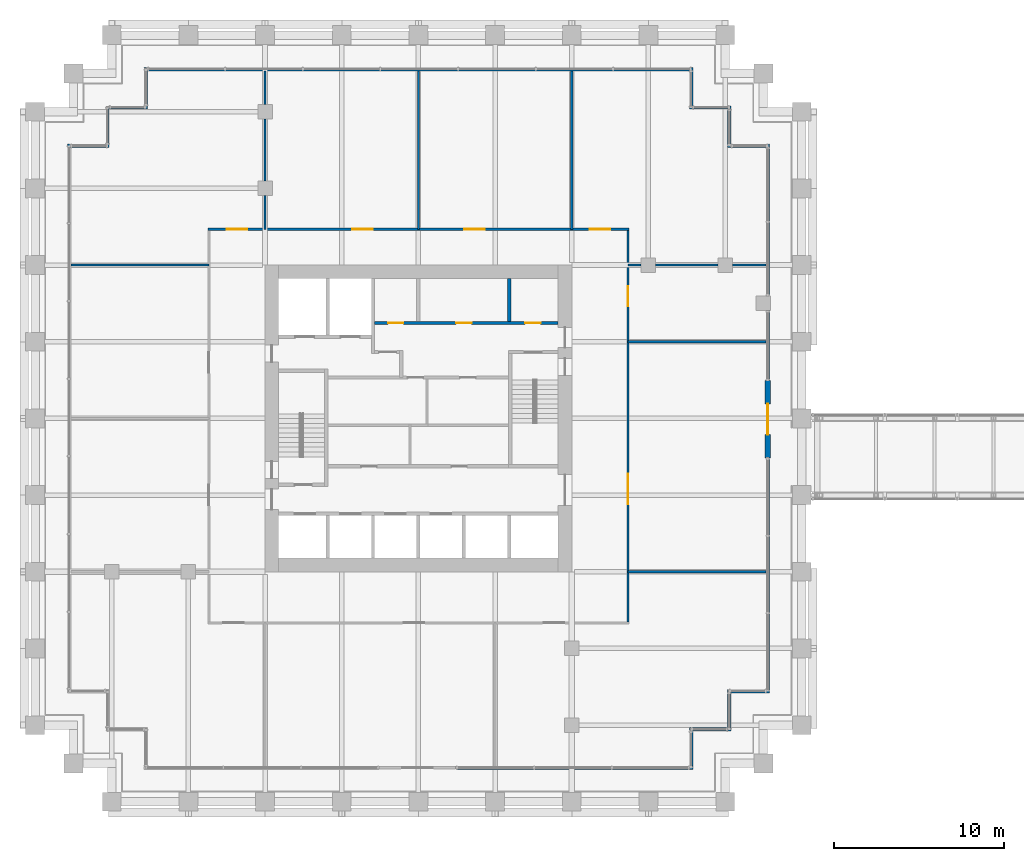
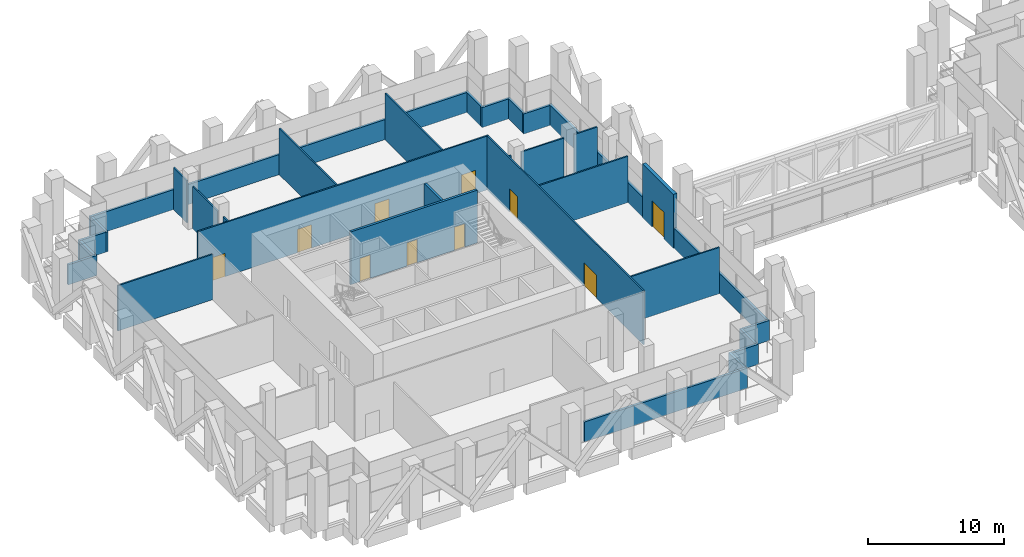
# One storey, part 38 of 44: 33 walls, 10 doors, 10 openings.
"""IFC4 building model written with IfcOpenShell, lengths in metres."""

from ifc_helpers import new_model, si_unit, direction, frame, frame_2d, origin, place, context, subcontext, project, spatial, rectangle, extrude, material, layer, layer_set, type_object, element, fill, save


model = new_model("IFC4")

# Units and contexts
model_context = context("Model", 3, precision=1e-05, world=origin(), true_north=direction((0.0, 1.0)))
body_context = subcontext(model_context, "Body", "Model", "MODEL_VIEW")
ifc_project = project(units=[si_unit("LENGTHUNIT", "METRE"), si_unit("AREAUNIT", "SQUARE_METRE"), si_unit("VOLUMEUNIT", "CUBIC_METRE"), si_unit("PLANEANGLEUNIT", "RADIAN"), si_unit("MASSUNIT", "GRAM", prefix="KILO")], contexts=[model_context])

# Site, building, storey
site_placement = place(None, origin())
site = spatial("IfcSite", under=ifc_project, at=site_placement, CompositionType="ELEMENT")
building_placement = place(site_placement, origin())
building = spatial("IfcBuilding", under=site, at=building_placement, Name="Altepetl Exchange Towers", CompositionType="ELEMENT")
storey_placement = place(building_placement, frame((0.0, 0.0, 87.0)))
storey = spatial("IfcBuildingStorey", under=building, at=storey_placement, Name="L21 Refuge", CompositionType="ELEMENT", Elevation=87.0)

# Walls
ifc_material_1 = material(Name="Gypsum board on steel studs", Category="steel")
ifc_layer_1 = layer(ifc_material_1, 0.125)
ifc_layer_set_1 = layer_set([ifc_layer_1], Name="Gypsum board on steel studs")
wall_type_1 = type_object("IfcWallType", Name="Partition 125 gypsum board on steel studs", PredefinedType="PARTITIONING", material=ifc_layer_set_1)
for number, where, name in (
    (1, (61.800048828125, 40.5, 0.0), "wall:A:L21:P05"),
    (2, (61.800048828125, 54.0, 0.0), "wall:A:L21:P07"),
):
    element("IfcWall", number, at=place(storey_placement, frame(where)), inside=storey, type_object=wall_type_1, Name=name, PredefinedType="PARTITIONING", context=body_context, shape_type="SweptSolid", body=[
        extrude(rectangle(XDim=8.099853515625, YDim=0.125, at=frame_2d((4.0498046875, 0.0))), origin(), (0.0, 0.0, 1.0), 4.166015625),
    ])
wall_1_placement = place(storey_placement, frame((29.10009765625, 58.5, 0.0)))
element("IfcWall", 3, at=wall_1_placement, inside=storey, type_object=wall_type_1, Name="wall:A:L21:P08", PredefinedType="PARTITIONING", context=body_context, shape_type="SweptSolid", body=[
    extrude(rectangle(XDim=8.099853515625, YDim=0.125, at=frame_2d((4.0498046875, 0.0))), origin(), (0.0, 0.0, 1.0), 4.075927734375),
])
wall_2_placement = place(storey_placement, frame((61.800048828125, 58.5, 0.0)))
element("IfcWall", 4, at=wall_2_placement, inside=storey, type_object=wall_type_1, Name="wall:A:L21:P09", PredefinedType="PARTITIONING", context=body_context, shape_type="SweptSolid", body=[
    extrude(rectangle(XDim=0.77490234375, YDim=0.125, at=frame_2d((0.387451171875, 0.0))), origin(), (0.0, 0.0, 1.0), 4.075927734375),
])
wall_3_placement = place(storey_placement, frame((63.425048828125, 58.5, 0.0)))
element("IfcWall", 5, at=wall_3_placement, inside=storey, type_object=wall_type_1, Name="wall:A:L21:P10", PredefinedType="PARTITIONING", context=body_context, shape_type="SweptSolid", body=[
    extrude(rectangle(XDim=3.64990234375, YDim=0.125, at=frame_2d((1.824951171875, 0.0))), origin(), (0.0, 0.0, 1.0), 4.075927734375),
])
wall_4_placement = place(storey_placement, frame((67.925048828125, 58.5, 0.0)))
element("IfcWall", 6, at=wall_4_placement, inside=storey, type_object=wall_type_1, Name="wall:A:L21:P11", PredefinedType="PARTITIONING", context=body_context, shape_type="SweptSolid", body=[
    extrude(rectangle(XDim=1.974853515625, YDim=0.125, at=frame_2d((0.9873046875, 0.0))), origin(), (0.0, 0.0, 1.0), 4.075927734375),
])

# Wall, openings, doors
wall_5_placement = place(storey_placement, frame((37.137451171875, 60.60009765625, 0.0)))
wall_5 = element("IfcWall", 7, at=wall_5_placement, inside=storey, type_object=wall_type_1, Name="wall:A:L21:P12", PredefinedType="PARTITIONING", context=body_context, shape_type="SweptSolid", body=[
    extrude(rectangle(XDim=24.72509765625, YDim=0.125, at=frame_2d((12.362548828125, 0.0))), origin(), (0.0, 0.0, 1.0), 4.85009765625),
])
opening_1_placement = place(wall_5_placement, frame((22.41259765625, 0.0, 0.0)))
opening_1 = element("IfcOpeningElement", 8, at=opening_1_placement, cuts=wall_5, Name="Opening L21.A07", PredefinedType="OPENING", context=body_context, shape_type="SweptSolid", body=[
    extrude(rectangle(XDim=1.199951171875, YDim=2.10009765625, at=frame_2d((0.60009765625, 1.050048828125))), frame((0.0, 0.072509765625, 0.0), z_axis=(0.0, -1.0, 0.0), x_axis=(1.0, 0.0, 0.0)), (0.0, 0.0, 1.0), 0.14501953125),
])
opening_2_placement = place(wall_5_placement, frame((15.054443359375, 0.0, 0.0)))
opening_2 = element("IfcOpeningElement", 9, at=opening_2_placement, cuts=wall_5, Name="Opening L21.A08", PredefinedType="OPENING", context=body_context, shape_type="SweptSolid", body=[
    extrude(rectangle(XDim=1.199951171875, YDim=2.10009765625, at=frame_2d((0.60009765625, 1.050048828125))), frame((0.0, 0.072509765625, 0.0), z_axis=(0.0, -1.0, 0.0), x_axis=(1.0, 0.0, 0.0)), (0.0, 0.0, 1.0), 0.14501953125),
])
opening_3_placement = place(wall_5_placement, frame((8.470458984375, 0.0, 0.0)))
opening_3 = element("IfcOpeningElement", 10, at=opening_3_placement, cuts=wall_5, Name="Opening L21.A09", PredefinedType="OPENING", context=body_context, shape_type="SweptSolid", body=[
    extrude(rectangle(XDim=1.199951171875, YDim=2.10009765625, at=frame_2d((0.60009765625, 1.050048828125))), frame((0.0, 0.072509765625, 0.0), z_axis=(0.0, -1.0, 0.0), x_axis=(1.0, 0.0, 0.0)), (0.0, 0.0, 1.0), 0.14501953125),
])
opening_4_placement = place(wall_5_placement, frame((1.112548828125, 0.0, 0.0)))
opening_4 = element("IfcOpeningElement", 11, at=opening_4_placement, cuts=wall_5, Name="Opening L21.A10", PredefinedType="OPENING", context=body_context, shape_type="SweptSolid", body=[
    extrude(rectangle(XDim=1.199951171875, YDim=2.10009765625, at=frame_2d((0.60009765625, 1.050048828125))), frame((0.0, 0.072509765625, 0.0), z_axis=(0.0, -1.0, 0.0), x_axis=(1.0, 0.0, 0.0)), (0.0, 0.0, 1.0), 0.14501953125),
])
ifc_material_2 = material(Name="Steel and timber fire door", Category="steel")
door_type_1 = type_object("IfcDoorType", Name="Fire door 1200 x 2100 plant and refuge", OperationType="SINGLE_SWING_LEFT", PredefinedType="DOOR", material=ifc_material_2)
door_1_placement = place(opening_1_placement, origin())
door_1 = element("IfcDoor", 12, at=door_1_placement, inside=storey, type_object=door_type_1, Name="door:A:L21:07", OperationType="SINGLE_SWING_RIGHT", OverallHeight=2.10009765625, OverallWidth=1.199951171875, PredefinedType="DOOR", context=body_context, shape_type="SweptSolid", body=[
    extrude(rectangle(XDim=1.199951171875, YDim=2.10009765625, at=frame_2d((0.60009765625, 1.050048828125))), frame((0.0, 0.02490234375, 0.0), z_axis=(0.0, -1.0, 0.0), x_axis=(1.0, 0.0, 0.0)), (0.0, 0.0, 1.0), 0.050048828125),
])
fill(opening_1, door_1)
door_2_placement = place(opening_2_placement, origin())
door_2 = element("IfcDoor", 13, at=door_2_placement, inside=storey, type_object=door_type_1, Name="door:A:L21:08", OperationType="SINGLE_SWING_LEFT", OverallHeight=2.10009765625, OverallWidth=1.199951171875, PredefinedType="DOOR", context=body_context, shape_type="SweptSolid", body=[
    extrude(rectangle(XDim=1.199951171875, YDim=2.10009765625, at=frame_2d((0.60009765625, 1.050048828125))), frame((0.0, 0.02490234375, 0.0), z_axis=(0.0, -1.0, 0.0), x_axis=(1.0, 0.0, 0.0)), (0.0, 0.0, 1.0), 0.050048828125),
])
fill(opening_2, door_2)
door_3_placement = place(opening_3_placement, origin())
door_3 = element("IfcDoor", 14, at=door_3_placement, inside=storey, type_object=door_type_1, Name="door:A:L21:09", OperationType="SINGLE_SWING_RIGHT", OverallHeight=2.10009765625, OverallWidth=1.199951171875, PredefinedType="DOOR", context=body_context, shape_type="SweptSolid", body=[
    extrude(rectangle(XDim=1.199951171875, YDim=2.10009765625, at=frame_2d((0.60009765625, 1.050048828125))), frame((0.0, 0.02490234375, 0.0), z_axis=(0.0, -1.0, 0.0), x_axis=(1.0, 0.0, 0.0)), (0.0, 0.0, 1.0), 0.050048828125),
])
fill(opening_3, door_3)
door_4_placement = place(opening_4_placement, origin())
door_4 = element("IfcDoor", 15, at=door_4_placement, inside=storey, type_object=door_type_1, Name="door:A:L21:10", OperationType="SINGLE_SWING_LEFT", OverallHeight=2.10009765625, OverallWidth=1.199951171875, PredefinedType="DOOR", context=body_context, shape_type="SweptSolid", body=[
    extrude(rectangle(XDim=1.199951171875, YDim=2.10009765625, at=frame_2d((0.60009765625, 1.050048828125))), frame((0.0, 0.02490234375, 0.0), z_axis=(0.0, -1.0, 0.0), x_axis=(1.0, 0.0, 0.0)), (0.0, 0.0, 1.0), 0.050048828125),
])
fill(opening_4, door_4)

# Walls
wall_6_placement = place(storey_placement, frame((40.5, 60.60009765625, 0.0), z_axis=(0.0, 0.0, 1.0), x_axis=(0.0, 1.0, 0.0)))
element("IfcWall", 16, at=wall_6_placement, inside=storey, type_object=wall_type_1, Name="wall:A:L21:P15", PredefinedType="PARTITIONING", context=body_context, shape_type="SweptSolid", body=[
    extrude(rectangle(XDim=1.974853515625, YDim=0.125, at=frame_2d((0.9873046875, 0.0))), origin(), (0.0, 0.0, 1.0), 3.800048828125),
])
wall_7_placement = place(storey_placement, frame((40.5, 63.425048828125, 0.0), z_axis=(0.0, 0.0, 1.0), x_axis=(0.0, 1.0, 0.0)))
element("IfcWall", 17, at=wall_7_placement, inside=storey, type_object=wall_type_1, Name="wall:A:L21:P16", PredefinedType="PARTITIONING", context=body_context, shape_type="SweptSolid", body=[
    extrude(rectangle(XDim=3.64990234375, YDim=0.125, at=frame_2d((1.824951171875, 0.0))), origin(), (0.0, 0.0, 1.0), 3.800048828125),
])
wall_8_placement = place(storey_placement, frame((40.5, 67.925048828125, 0.0), z_axis=(0.0, 0.0, 1.0), x_axis=(0.0, 1.0, 0.0)))
element("IfcWall", 18, at=wall_8_placement, inside=storey, type_object=wall_type_1, Name="wall:A:L21:P17", PredefinedType="PARTITIONING", context=body_context, shape_type="SweptSolid", body=[
    extrude(rectangle(XDim=1.974853515625, YDim=0.125, at=frame_2d((0.9873046875, 0.0))), origin(), (0.0, 0.0, 1.0), 3.800048828125),
])
for number, where, z_axis, x_axis, name in (
    (19, (49.5, 60.60009765625, 0.0), (0.0, 0.0, 1.0), (0.0, 1.0, 0.0), "wall:A:L21:P18"),
    (20, (58.5, 60.60009765625, 0.0), (0.0, 0.0, 1.0), (0.0, 1.0, 0.0), "wall:A:L21:P20"),
):
    element("IfcWall", number, at=place(storey_placement, frame(where, z_axis=z_axis, x_axis=x_axis)), inside=storey, type_object=wall_type_1, Name=name, PredefinedType="PARTITIONING", context=body_context, shape_type="SweptSolid", body=[
        extrude(rectangle(XDim=9.2998046875, YDim=0.125, at=frame_2d((4.64990234375, 0.0))), origin(), (0.0, 0.0, 1.0), 4.166015625),
    ])

# Wall, openings, doors
wall_9_placement = place(storey_placement, frame((61.800048828125, 37.5625, 0.0), z_axis=(0.0, 0.0, 1.0), x_axis=(0.0, 1.0, 0.0)))
wall_9 = element("IfcWall", 21, at=wall_9_placement, inside=storey, type_object=wall_type_1, Name="wall:A:L21:P21", PredefinedType="PARTITIONING", context=body_context, shape_type="SweptSolid", body=[
    extrude(rectangle(XDim=22.97509765625, YDim=0.125, at=frame_2d((11.487548828125, 0.0))), origin(), (0.0, 0.0, 1.0), 4.85009765625),
])
opening_5_placement = place(wall_9_placement, frame((6.8974609375, 0.0, 0.0)))
opening_5 = element("IfcOpeningElement", 22, at=opening_5_placement, cuts=wall_9, Name="Opening L21.A05", PredefinedType="OPENING", context=body_context, shape_type="SweptSolid", body=[
    extrude(rectangle(XDim=1.800048828125, YDim=2.10009765625, at=frame_2d((0.89990234375, 1.050048828125))), frame((0.0, 0.072509765625, 0.0), z_axis=(0.0, -1.0, 0.0), x_axis=(1.0, 0.0, 0.0)), (0.0, 0.0, 1.0), 0.14501953125),
])
opening_6_placement = place(wall_9_placement, frame((18.507568359375, 0.0, 0.0)))
opening_6 = element("IfcOpeningElement", 23, at=opening_6_placement, cuts=wall_9, Name="Opening L21.A06", PredefinedType="OPENING", context=body_context, shape_type="SweptSolid", body=[
    extrude(rectangle(XDim=1.199951171875, YDim=2.10009765625, at=frame_2d((0.60009765625, 1.050048828125))), frame((0.0, 0.072509765625, 0.0), z_axis=(0.0, -1.0, 0.0), x_axis=(1.0, 0.0, 0.0)), (0.0, 0.0, 1.0), 0.14501953125),
])
door_5_placement = place(opening_6_placement, frame((1.199951171875, 0.0, 0.0), x_axis=(-1.0, 0.0, 0.0)))
door_5 = element("IfcDoor", 24, at=door_5_placement, inside=storey, type_object=door_type_1, Name="door:A:L21:06", OperationType="SINGLE_SWING_LEFT", OverallHeight=2.10009765625, OverallWidth=1.199951171875, PredefinedType="DOOR", context=body_context, shape_type="SweptSolid", body=[
    extrude(rectangle(XDim=1.199951171875, YDim=2.10009765625, at=frame_2d((0.60009765625, 1.050048828125))), frame((0.0, 0.02490234375, 0.0), z_axis=(0.0, -1.0, 0.0), x_axis=(1.0, 0.0, 0.0)), (0.0, 0.0, 1.0), 0.050048828125),
])
fill(opening_6, door_5)
door_type_2 = type_object("IfcDoorType", Name="Fire door 1800 x 2100 double leaf", OperationType="DOUBLE_DOOR_SINGLE_SWING", PredefinedType="DOOR", material=ifc_material_2)
door_6_placement = place(opening_5_placement, frame((1.800048828125, 0.0, 0.0), x_axis=(-1.0, 0.0, 0.0)))
door_6 = element("IfcDoor", 25, at=door_6_placement, inside=storey, type_object=door_type_2, Name="door:A:L21:05", OperationType="DOUBLE_DOOR_SINGLE_SWING", OverallHeight=2.10009765625, OverallWidth=1.800048828125, PredefinedType="DOOR", context=body_context, shape_type="SweptSolid", body=[
    extrude(rectangle(XDim=1.800048828125, YDim=2.10009765625, at=frame_2d((0.89990234375, 1.050048828125))), frame((0.0, 0.02490234375, 0.0), z_axis=(0.0, -1.0, 0.0), x_axis=(1.0, 0.0, 0.0)), (0.0, 0.0, 1.0), 0.050048828125),
])
fill(opening_5, door_6)

# Walls
ifc_material_3 = material(Name="Cantera limestone cladding", Category="masonry")
ifc_layer_2 = layer(ifc_material_3, 0.199951171875)
ifc_layer_set_2 = layer_set([ifc_layer_2], Name="Cantera limestone cladding")
wall_type_2 = type_object("IfcWallType", Name="Refuge stone wall 200", PredefinedType="ELEMENTEDWALL", material=ifc_layer_set_2)
wall_10_placement = place(storey_placement, frame((31.35009765625, 65.5, 0.0), z_axis=(0.0, 0.0, 1.0), x_axis=(-1.0, 0.0, 0.0)))
element("IfcWall", 26, at=wall_10_placement, inside=storey, type_object=wall_type_2, Name="Refuge stone wall", PredefinedType="ELEMENTEDWALL", context=body_context, shape_type="SweptSolid", body=[
    extrude(rectangle(XDim=2.4501953125, YDim=0.199951171875, at=frame_2d((1.22509765625, 0.0))), origin(), (0.0, 0.0, 1.0), 1.800048828125),
])
wall_11_placement = place(storey_placement, frame((51.728515625, 29.0, 0.0)))
element("IfcWall", 27, at=wall_11_placement, inside=storey, type_object=wall_type_2, Name="Refuge stone wall", PredefinedType="ELEMENTEDWALL", context=body_context, shape_type="SweptSolid", body=[
    extrude(rectangle(XDim=13.87158203125, YDim=0.199951171875, at=frame_2d((6.935791015625, 0.0))), origin(), (0.0, 0.0, 1.0), 1.800048828125),
])
wall_12_placement = place(storey_placement, frame((65.5, 29.10009765625, 0.0), z_axis=(0.0, 0.0, 1.0), x_axis=(0.0, 1.0, 0.0)))
element("IfcWall", 28, at=wall_12_placement, inside=storey, type_object=wall_type_2, Name="Refuge stone wall", PredefinedType="ELEMENTEDWALL", context=body_context, shape_type="SweptSolid", body=[
    extrude(rectangle(XDim=2.25, YDim=0.199951171875, at=frame_2d((1.125, 0.0))), origin(), (0.0, 0.0, 1.0), 1.800048828125),
])
wall_13_placement = place(storey_placement, frame((65.60009765625, 31.25, 0.0)))
element("IfcWall", 29, at=wall_13_placement, inside=storey, type_object=wall_type_2, Name="Refuge stone wall", PredefinedType="ELEMENTEDWALL", context=body_context, shape_type="SweptSolid", body=[
    extrude(rectangle(XDim=2.25, YDim=0.199951171875, at=frame_2d((1.125, 0.0))), origin(), (0.0, 0.0, 1.0), 1.800048828125),
])
wall_14_placement = place(storey_placement, frame((67.75, 31.35009765625, 0.0), z_axis=(0.0, 0.0, 1.0), x_axis=(0.0, 1.0, 0.0)))
element("IfcWall", 30, at=wall_14_placement, inside=storey, type_object=wall_type_2, Name="Refuge stone wall", PredefinedType="ELEMENTEDWALL", context=body_context, shape_type="SweptSolid", body=[
    extrude(rectangle(XDim=2.25, YDim=0.199951171875, at=frame_2d((1.125, 0.0))), origin(), (0.0, 0.0, 1.0), 1.800048828125),
])
wall_15_placement = place(storey_placement, frame((67.85009765625, 33.5, 0.0)))
element("IfcWall", 31, at=wall_15_placement, inside=storey, type_object=wall_type_2, Name="Refuge stone wall", PredefinedType="ELEMENTEDWALL", context=body_context, shape_type="SweptSolid", body=[
    extrude(rectangle(XDim=2.25, YDim=0.199951171875, at=frame_2d((1.125, 0.0))), origin(), (0.0, 0.0, 1.0), 1.800048828125),
])
wall_16_placement = place(storey_placement, frame((70.0, 33.60009765625, 0.0), z_axis=(0.0, 0.0, 1.0), x_axis=(0.0, 1.0, 0.0)))
element("IfcWall", 32, at=wall_16_placement, inside=storey, type_object=wall_type_2, Name="Refuge stone wall", PredefinedType="ELEMENTEDWALL", context=body_context, shape_type="SweptSolid", body=[
    extrude(rectangle(XDim=13.5712890625, YDim=0.199951171875, at=frame_2d((6.78564453125, 0.0))), origin(), (0.0, 0.0, 1.0), 1.800048828125),
])
wall_17_placement = place(storey_placement, frame((70.0, 51.728515625, 0.0), z_axis=(0.0, 0.0, 1.0), x_axis=(0.0, 1.0, 0.0)))
element("IfcWall", 33, at=wall_17_placement, inside=storey, type_object=wall_type_2, Name="Refuge stone wall", PredefinedType="ELEMENTEDWALL", context=body_context, shape_type="SweptSolid", body=[
    extrude(rectangle(XDim=4.096435546875, YDim=0.199951171875, at=frame_2d((2.04833984375, 0.0))), origin(), (0.0, 0.0, 1.0), 1.800048828125),
])
wall_18_placement = place(storey_placement, frame((70.0, 56.675048828125, 0.0), z_axis=(0.0, 0.0, 1.0), x_axis=(0.0, 1.0, 0.0)))
element("IfcWall", 34, at=wall_18_placement, inside=storey, type_object=wall_type_2, Name="Refuge stone wall", PredefinedType="ELEMENTEDWALL", context=body_context, shape_type="SweptSolid", body=[
    extrude(rectangle(XDim=8.925048828125, YDim=0.199951171875, at=frame_2d((4.46240234375, 0.0))), origin(), (0.0, 0.0, 1.0), 1.800048828125),
])
for number, where, z_axis, x_axis, name in (
    (35, (69.89990234375, 65.5, 0.0), (0.0, 0.0, 1.0), (-1.0, 0.0, 0.0), "Refuge stone wall"),
    (36, (67.75, 65.60009765625, 0.0), (0.0, 0.0, 1.0), (0.0, 1.0, 0.0), "Refuge stone wall"),
    (37, (67.64990234375, 67.75, 0.0), (0.0, 0.0, 1.0), (-1.0, 0.0, 0.0), "Refuge stone wall"),
    (38, (65.5, 67.85009765625, 0.0), (0.0, 0.0, 1.0), (0.0, 1.0, 0.0), "Refuge stone wall"),
):
    element("IfcWall", number, at=place(storey_placement, frame(where, z_axis=z_axis, x_axis=x_axis)), inside=storey, type_object=wall_type_2, Name=name, PredefinedType="ELEMENTEDWALL", context=body_context, shape_type="SweptSolid", body=[
        extrude(rectangle(XDim=2.25, YDim=0.199951171875, at=frame_2d((1.125, 0.0))), origin(), (0.0, 0.0, 1.0), 1.800048828125),
    ])
wall_19_placement = place(storey_placement, frame((65.39990234375, 70.0, 0.0), z_axis=(0.0, 0.0, 1.0), x_axis=(-1.0, 0.0, 0.0)))
element("IfcWall", 39, at=wall_19_placement, inside=storey, type_object=wall_type_2, Name="Refuge stone wall", PredefinedType="ELEMENTEDWALL", context=body_context, shape_type="SweptSolid", body=[
    extrude(rectangle(XDim=32.0, YDim=0.199951171875, at=frame_2d((16.0, 0.0))), origin(), (0.0, 0.0, 1.0), 1.800048828125),
])
for number, where, z_axis, x_axis, name in (
    (40, (33.5, 69.89990234375, 0.0), (0.0, 0.0, 1.0), (0.0, -1.0, 0.0), "Refuge stone wall"),
    (41, (33.39990234375, 67.75, 0.0), (0.0, 0.0, 1.0), (-1.0, 0.0, 0.0), "Refuge stone wall"),
):
    element("IfcWall", number, at=place(storey_placement, frame(where, z_axis=z_axis, x_axis=x_axis)), inside=storey, type_object=wall_type_2, Name=name, PredefinedType="ELEMENTEDWALL", context=body_context, shape_type="SweptSolid", body=[
        extrude(rectangle(XDim=2.25, YDim=0.199951171875, at=frame_2d((1.125, 0.0))), origin(), (0.0, 0.0, 1.0), 1.800048828125),
    ])
wall_20_placement = place(storey_placement, frame((31.25, 67.64990234375, 0.0), z_axis=(0.0, 0.0, 1.0), x_axis=(0.0, -1.0, 0.0)))
element("IfcWall", 42, at=wall_20_placement, inside=storey, type_object=wall_type_2, Name="Refuge stone wall", PredefinedType="ELEMENTEDWALL", context=body_context, shape_type="SweptSolid", body=[
    extrude(rectangle(XDim=2.0498046875, YDim=0.199951171875, at=frame_2d((1.02490234375, 0.0))), origin(), (0.0, 0.0, 1.0), 1.800048828125),
])
ifc_material_4 = material(Name="Concrete C40/50", Category="concrete")
ifc_layer_3 = layer(ifc_material_4, 0.199951171875)
ifc_layer_set_3 = layer_set([ifc_layer_3], Name="Concrete C40/50")
wall_type_3 = type_object("IfcWallType", Name="Shaft wall 200 reinforced concrete", PredefinedType="SHEAR", material=ifc_layer_set_3)
wall_21_placement = place(storey_placement, frame((54.833251953125, 57.699951171875, 0.0), z_axis=(0.0, 0.0, 1.0), x_axis=(0.0, -1.0, 0.0)))
element("IfcWall", 43, at=wall_21_placement, inside=storey, type_object=wall_type_3, Name="wall:A:L21:K-divN5", PredefinedType="SHEAR", context=body_context, shape_type="SweptSolid", body=[
    extrude(rectangle(XDim=2.5, YDim=0.199951171875, at=frame_2d((1.25, 0.0))), origin(), (0.0, 0.0, 1.0), 4.75),
])

# Wall, openings, doors
wall_22_placement = place(storey_placement, frame((46.933349609375, 55.10009765625, 0.0)))
wall_22 = element("IfcWall", 44, at=wall_22_placement, inside=storey, type_object=wall_type_3, Name="wall:A:L21:K-frontNb", PredefinedType="SHEAR", context=body_context, shape_type="SweptSolid", body=[
    extrude(rectangle(XDim=10.7666015625, YDim=0.199951171875, at=frame_2d((5.38330078125, 0.0))), origin(), (0.0, 0.0, 1.0), 4.75),
])
opening_7_placement = place(wall_22_placement, frame((8.83349609375, 0.0, 0.0)))
opening_7 = element("IfcOpeningElement", 45, at=opening_7_placement, cuts=wall_22, Name="Opening L21.A69", PredefinedType="OPENING", context=body_context, shape_type="SweptSolid", body=[
    extrude(rectangle(XDim=0.89990234375, YDim=2.10009765625, at=frame_2d((0.449951171875, 1.050048828125))), frame((0.0, 0.10986328125, 0.0), z_axis=(0.0, -1.0, 0.0), x_axis=(1.0, 0.0, 0.0)), (0.0, 0.0, 1.0), 0.219970703125),
])
opening_8_placement = place(wall_22_placement, frame((0.783447265625, 0.0, 0.0)))
opening_8 = element("IfcOpeningElement", 46, at=opening_8_placement, cuts=wall_22, Name="Opening L21.A70", PredefinedType="OPENING", context=body_context, shape_type="SweptSolid", body=[
    extrude(rectangle(XDim=0.89990234375, YDim=2.10009765625, at=frame_2d((0.449951171875, 1.050048828125))), frame((0.0, 0.10986328125, 0.0), z_axis=(0.0, -1.0, 0.0), x_axis=(1.0, 0.0, 0.0)), (0.0, 0.0, 1.0), 0.219970703125),
])
opening_9_placement = place(wall_22_placement, frame((4.783447265625, 0.0, 0.0)))
opening_9 = element("IfcOpeningElement", 47, at=opening_9_placement, cuts=wall_22, Name="Opening L21.A71", PredefinedType="OPENING", context=body_context, shape_type="SweptSolid", body=[
    extrude(rectangle(XDim=0.89990234375, YDim=2.10009765625, at=frame_2d((0.449951171875, 1.050048828125))), frame((0.0, 0.10986328125, 0.0), z_axis=(0.0, -1.0, 0.0), x_axis=(1.0, 0.0, 0.0)), (0.0, 0.0, 1.0), 0.219970703125),
])
door_type_3 = type_object("IfcDoorType", Name="Fire door 900 x 2100 service room", OperationType="SINGLE_SWING_LEFT", PredefinedType="DOOR", material=ifc_material_2)
door_7_placement = place(opening_7_placement, origin())
door_7 = element("IfcDoor", 48, at=door_7_placement, inside=storey, type_object=door_type_3, Name="door:A:L21:K-driser", OperationType="SINGLE_SWING_RIGHT", OverallHeight=2.10009765625, OverallWidth=0.89990234375, PredefinedType="DOOR", context=body_context, shape_type="SweptSolid", body=[
    extrude(rectangle(XDim=0.89990234375, YDim=2.10009765625, at=frame_2d((0.449951171875, 1.050048828125))), frame((0.0, 0.02490234375, 0.0), z_axis=(0.0, -1.0, 0.0), x_axis=(1.0, 0.0, 0.0)), (0.0, 0.0, 1.0), 0.050048828125),
])
fill(opening_7, door_7)
door_8_placement = place(opening_8_placement, origin())
door_8 = element("IfcDoor", 49, at=door_8_placement, inside=storey, type_object=door_type_3, Name="door:A:L21:K-dslotN2", OperationType="SINGLE_SWING_RIGHT", OverallHeight=2.10009765625, OverallWidth=0.89990234375, PredefinedType="DOOR", context=body_context, shape_type="SweptSolid", body=[
    extrude(rectangle(XDim=0.89990234375, YDim=2.10009765625, at=frame_2d((0.449951171875, 1.050048828125))), frame((0.0, 0.02490234375, 0.0), z_axis=(0.0, -1.0, 0.0), x_axis=(1.0, 0.0, 0.0)), (0.0, 0.0, 1.0), 0.050048828125),
])
fill(opening_8, door_8)
door_9_placement = place(opening_9_placement, origin())
door_9 = element("IfcDoor", 50, at=door_9_placement, inside=storey, type_object=door_type_3, Name="door:A:L21:K-dslotN3", OperationType="SINGLE_SWING_RIGHT", OverallHeight=2.10009765625, OverallWidth=0.89990234375, PredefinedType="DOOR", context=body_context, shape_type="SweptSolid", body=[
    extrude(rectangle(XDim=0.89990234375, YDim=2.10009765625, at=frame_2d((0.449951171875, 1.050048828125))), frame((0.0, 0.02490234375, 0.0), z_axis=(0.0, -1.0, 0.0), x_axis=(1.0, 0.0, 0.0)), (0.0, 0.0, 1.0), 0.050048828125),
])
fill(opening_9, door_9)

# Wall, opening, door
ifc_layer_4 = layer(ifc_material_3, 0.300048828125)
ifc_layer_set_4 = layer_set([ifc_layer_4], Name="Cantera limestone cladding")
wall_type_4 = type_object("IfcWallType", Name="Stone wall panel 300", PredefinedType="ELEMENTEDWALL", material=ifc_layer_set_4)
wall_23_placement = place(storey_placement, frame((70.0, 47.17138671875, 0.0), z_axis=(0.0, 0.0, 1.0), x_axis=(0.0, 1.0, 0.0)))
wall_23 = element("IfcWall", 51, at=wall_23_placement, inside=storey, type_object=wall_type_4, Name="Stone wall panel at BR1 landing", PredefinedType="ELEMENTEDWALL", context=body_context, shape_type="SweptSolid", body=[
    extrude(rectangle(XDim=4.55712890625, YDim=0.300048828125, at=frame_2d((2.278564453125, 0.0))), origin(), (0.0, 0.0, 1.0), 4.85009765625),
])
opening_10_placement = place(wall_23_placement, frame((1.378662109375, 0.0, 0.0)))
opening_10 = element("IfcOpeningElement", 52, at=opening_10_placement, cuts=wall_23, Name="Opening L21.A91", PredefinedType="OPENING", context=body_context, shape_type="SweptSolid", body=[
    extrude(rectangle(XDim=1.800048828125, YDim=2.39990234375, at=frame_2d((0.89990234375, 1.199951171875))), frame((0.0, 0.16015625, 0.0), z_axis=(0.0, -1.0, 0.0), x_axis=(1.0, 0.0, 0.0)), (0.0, 0.0, 1.0), 0.320068359375),
])
ifc_material_5 = material(Name="Steel S275 and fire resisting glass", Category="steel")
door_type_4 = type_object("IfcDoorType", Name="Bridge fire door pair 1800x2400", OperationType="DOUBLE_DOOR_DOUBLE_SWING", PredefinedType="NOTDEFINED", material=ifc_material_5)
door_10_placement = place(opening_10_placement, origin())
door_10 = element("IfcDoor", 53, at=door_10_placement, inside=storey, type_object=door_type_4, Name="BR1 fire door", OperationType="DOUBLE_DOOR_DOUBLE_SWING", OverallHeight=2.39990234375, OverallWidth=1.800048828125, PredefinedType="NOTDEFINED", context=body_context, shape_type="SweptSolid", body=[
    extrude(rectangle(XDim=1.800048828125, YDim=2.39990234375, at=frame_2d((0.89990234375, 1.199951171875))), frame((0.0, 0.02490234375, 0.0), z_axis=(0.0, -1.0, 0.0), x_axis=(1.0, 0.0, 0.0)), (0.0, 0.0, 1.0), 0.050048828125),
])
fill(opening_10, door_10)

save(model, "model.ifc")
